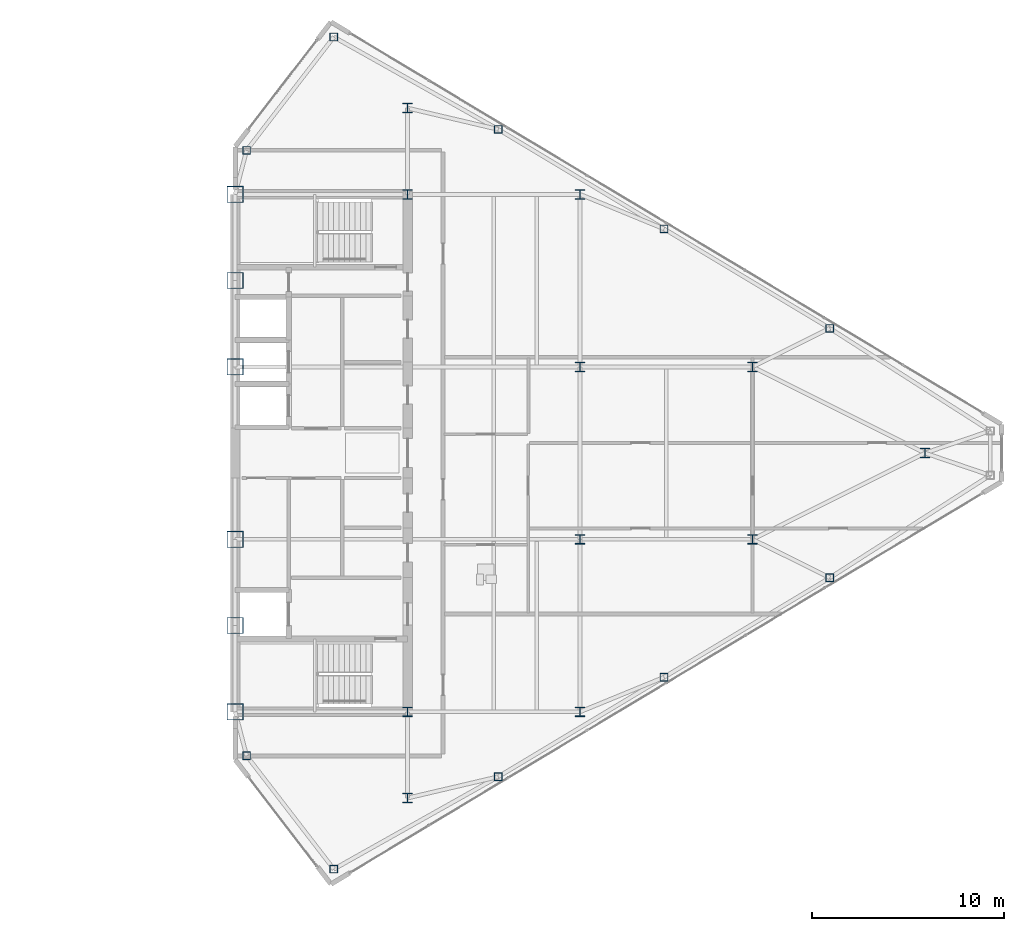
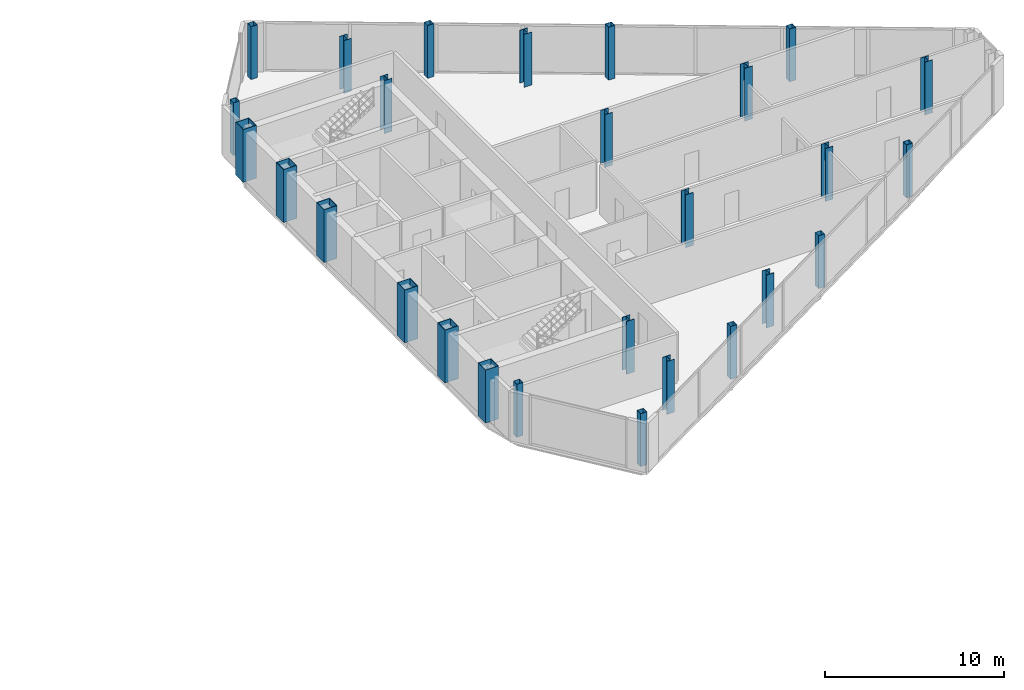
# One storey, part 3 of 26: 27 columns.
"""IFC4 building model written with IfcOpenShell, lengths in metres."""

from ifc_helpers import new_model, si_unit, direction, frame, origin, origin_2d, place, context, subcontext, project, spatial, hollow_rectangle, i_section, extrude, source, transform, mapped, material, material_profile, profile_set, type_object, type_shapes, element, save


model = new_model("IFC4")

# Units and contexts
model_context = context("Model", 3, precision=1e-05, world=origin(), true_north=direction((0.0, 1.0)))
body_context = subcontext(model_context, "Body", "Model", "MODEL_VIEW")
ifc_project = project(units=[si_unit("LENGTHUNIT", "METRE"), si_unit("AREAUNIT", "SQUARE_METRE"), si_unit("VOLUMEUNIT", "CUBIC_METRE"), si_unit("PLANEANGLEUNIT", "RADIAN"), si_unit("MASSUNIT", "GRAM", prefix="KILO")], contexts=[model_context])

# Site, building, storey
site_placement = place(None, origin())
site = spatial("IfcSite", under=ifc_project, at=site_placement, CompositionType="ELEMENT")
building_placement = place(site_placement, origin())
building = spatial("IfcBuilding", under=site, at=building_placement, Name="Seokmaru Belvedere", CompositionType="ELEMENT")
storey_placement = place(building_placement, frame((0.0, 0.0, 221.10009765625)))
storey = spatial("IfcBuildingStorey", under=building, at=storey_placement, Name="L59", CompositionType="ELEMENT", Elevation=221.10009765625)

# Columns
ifc_material_1 = material(Name="Steel HSA650 (650 MPa)", Category="steel")
ifc_material_profile_1 = material_profile(ifc_material_1, hollow_rectangle(XDim=0.85009765625, YDim=0.85009765625, WallThickness=0.035888671875, at=origin_2d()), Name="BOX-850x850x36")
ifc_profile_set_1 = profile_set([ifc_material_profile_1], Name="Steel HSA650 (650 MPa)")
column_type_1 = type_object("IfcColumnType", Name="Portal Spine Column BOX-850", PredefinedType="COLUMN", material=ifc_profile_set_1)
shared_shape_1 = source(origin(), body_context, "Body", "SweptSolid", [
    extrude(hollow_rectangle(XDim=0.85009765625, YDim=0.85009765625, WallThickness=0.035888671875, at=origin_2d()), origin(), (0.0, 0.0, 1.0), 3.599853515625),
])
type_shapes(column_type_1, [shared_shape_1])
for number, where, z_axis, x_axis, name in (
    (1, (27.5, -13.5, 0.0), (0.0, 0.0, 1.0), (1.0, 0.0, 0.0), "L59 Column ES1"),
    (2, (27.5, -9.0, 0.0), (0.0, 0.0, 1.0), (1.0, 0.0, 0.0), "L59 Column ES2"),
    (3, (27.5, -4.5, 0.0), (0.0, 0.0, 1.0), (1.0, 0.0, 0.0), "L59 Column ES3"),
    (4, (27.5, 4.5, 0.0), (0.0, 0.0, 1.0), (1.0, 0.0, 0.0), "L59 Column ES4"),
    (5, (27.5, 9.0, 0.0), (0.0, 0.0, 1.0), (1.0, 0.0, 0.0), "L59 Column ES5"),
    (6, (27.5, 13.5, 0.0), (0.0, 0.0, 1.0), (1.0, 0.0, 0.0), "L59 Column ES6"),
):
    element("IfcColumn", number, at=place(storey_placement, frame(where, z_axis=z_axis, x_axis=x_axis)), inside=storey, type_object=column_type_1, Name=name, PredefinedType="COLUMN", context=body_context, shape_type="MappedRepresentation", body=[
        mapped(shared_shape_1, transform((0.0, 0.0, 0.0), scale=1.0)),
    ])
ifc_material_2 = material(Name="Steel SM355 (355 MPa)", Category="steel")
ifc_material_profile_2 = material_profile(ifc_material_2, i_section(OverallWidth=0.5, OverallDepth=0.5, WebThickness=0.02001953125, FlangeThickness=0.031982421875, at=origin_2d()), Name="H-500x500x20x32")
ifc_profile_set_2 = profile_set([ifc_material_profile_2], Name="Steel SM355 (355 MPa)")
column_type_2 = type_object("IfcColumnType", Name="High-Rise Interior Column H-500", PredefinedType="COLUMN", material=ifc_profile_set_2)
shared_shape_2 = source(origin(), body_context, "Body", "SweptSolid", [
    extrude(i_section(OverallWidth=0.5, OverallDepth=0.5, WebThickness=0.02001953125, FlangeThickness=0.031982421875, at=origin_2d()), origin(), (0.0, 0.0, 1.0), 3.599853515625),
])
type_shapes(column_type_2, [shared_shape_2])
for number, where, z_axis, x_axis, name in (
    (7, (36.5, -18.0, 0.0), (0.0, 0.0, 1.0), (1.0, 0.0, 0.0), "L59 Column EC1"),
    (8, (36.5, -13.5, 0.0), (0.0, 0.0, 1.0), (1.0, 0.0, 0.0), "L59 Column EC2"),
    (9, (36.5, 13.5, 0.0), (0.0, 0.0, 1.0), (1.0, 0.0, 0.0), "L59 Column EC3"),
    (10, (36.5, 18.0, 0.0), (0.0, 0.0, 1.0), (1.0, 0.0, 0.0), "L59 Column EC4"),
    (11, (45.5, -13.5, 0.0), (0.0, 0.0, 1.0), (1.0, 0.0, 0.0), "L59 Column EG5_1"),
    (12, (45.5, -4.5, 0.0), (0.0, 0.0, 1.0), (1.0, 0.0, 0.0), "L59 Column EG5_2"),
    (13, (45.5, 4.5, 0.0), (0.0, 0.0, 1.0), (1.0, 0.0, 0.0), "L59 Column EG5_3"),
    (14, (45.5, 13.5, 0.0), (0.0, 0.0, 1.0), (1.0, 0.0, 0.0), "L59 Column EG5_4"),
    (15, (54.5, -4.5, 0.0), (0.0, 0.0, 1.0), (1.0, 0.0, 0.0), "L59 Column EG4P_1"),
    (16, (54.5, 4.5, 0.0), (0.0, 0.0, 1.0), (1.0, 0.0, 0.0), "L59 Column EG4P_2"),
    (17, (63.5, 0.0, 0.0), (0.0, 0.0, 1.0), (1.0, 0.0, 0.0), "L59 Column EG3P_1"),
):
    element("IfcColumn", number, at=place(storey_placement, frame(where, z_axis=z_axis, x_axis=x_axis)), inside=storey, type_object=column_type_2, Name=name, PredefinedType="COLUMN", context=body_context, shape_type="MappedRepresentation", body=[
        mapped(shared_shape_2, transform((0.0, 0.0, 0.0), scale=1.0)),
    ])
ifc_material_profile_3 = material_profile(ifc_material_2, hollow_rectangle(XDim=0.39990234375, YDim=0.39990234375, WallThickness=0.01611328125, at=origin_2d()), Name="HSS-400x400x16")
ifc_profile_set_3 = profile_set([ifc_material_profile_3], Name="Steel SM355 (355 MPa)")
column_type_3 = type_object("IfcColumnType", Name="Perimeter Facet Column HSS-400", PredefinedType="COLUMN", material=ifc_profile_set_3)
shared_shape_3 = source(origin(), body_context, "Body", "SweptSolid", [
    extrude(hollow_rectangle(XDim=0.39990234375, YDim=0.39990234375, WallThickness=0.01611328125, at=origin_2d()), origin(), (0.0, 0.0, 1.0), 3.599853515625),
])
type_shapes(column_type_3, [shared_shape_3])
for number, where, z_axis, x_axis, name in (
    (18, (32.649658203125, -21.71044921875, 0.0), (0.0, 0.0, 1.0), (1.0, 0.0, 0.0), "L59 Column EF1"),
    (19, (32.649658203125, 21.71044921875, 0.0), (0.0, 0.0, 1.0), (1.0, 0.0, 0.0), "L59 Column EF4"),
    (20, (28.10009765625, 15.7958984375, 0.0), (0.0, 0.0, 1.0), (1.0, 0.0, 0.0), "L59 Column EF5"),
    (21, (28.10009765625, -15.7958984375, 0.0), (0.0, 0.0, 1.0), (1.0, 0.0, 0.0), "L59 Column EF6"),
    (22, (41.229736328125, -16.888916015625, 0.0), (0.0, 0.0, 1.0), (1.0, 0.0, 0.0), "L59 Column EFLK_S1"),
    (23, (49.8798828125, -11.698974609375, 0.0), (0.0, 0.0, 1.0), (1.0, 0.0, 0.0), "L59 Column EFLK_S2"),
    (24, (58.530029296875, -6.5087890625, 0.0), (0.0, 0.0, 1.0), (1.0, 0.0, 0.0), "L59 Column EFLK_S3"),
    (25, (41.229736328125, 16.888916015625, 0.0), (0.0, 0.0, 1.0), (1.0, 0.0, 0.0), "L59 Column EFLK_N1"),
    (26, (49.8798828125, 11.698974609375, 0.0), (0.0, 0.0, 1.0), (1.0, 0.0, 0.0), "L59 Column EFLK_N2"),
    (27, (58.530029296875, 6.5087890625, 0.0), (0.0, 0.0, 1.0), (1.0, 0.0, 0.0), "L59 Column EFLK_N3"),
):
    element("IfcColumn", number, at=place(storey_placement, frame(where, z_axis=z_axis, x_axis=x_axis)), inside=storey, type_object=column_type_3, Name=name, PredefinedType="COLUMN", context=body_context, shape_type="MappedRepresentation", body=[
        mapped(shared_shape_3, transform((0.0, 0.0, 0.0), scale=1.0)),
    ])

save(model, "model.ifc")
